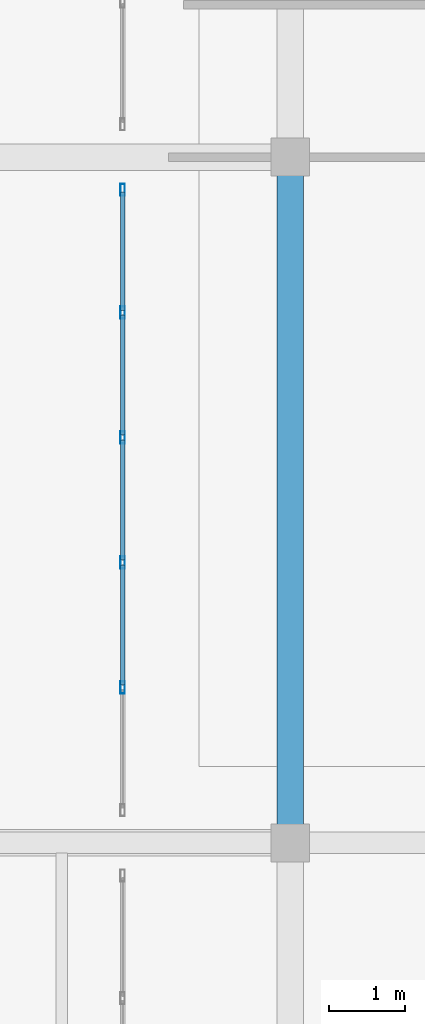
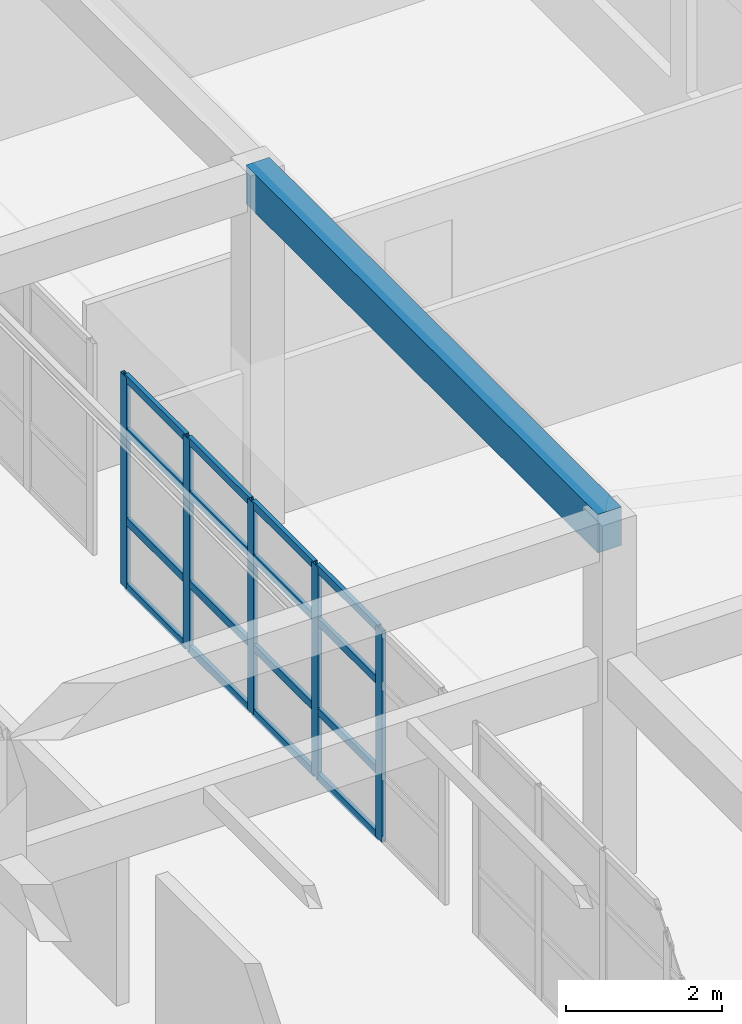
# One storey, part 21 of 156: 21 members, 1 beam, 1 element without a shape of its own.
"""IFC4 building model written with IfcOpenShell, lengths in metres."""

from ifc_helpers import new_model, si_unit, direction, frame, origin, origin_2d, place, context, subcontext, project, spatial, rectangle, hollow_rectangle, extrude, material, layer, layer_set, material_profile, profile_set, type_object, element, aggregate, save


model = new_model("IFC4")

# Units and contexts
model_context = context("Model", 3, precision=1e-05, world=origin(), true_north=direction((0.0, 1.0)))
body_context = subcontext(model_context, "Body", "Model", "MODEL_VIEW")
ifc_project = project(units=[si_unit("LENGTHUNIT", "METRE"), si_unit("AREAUNIT", "SQUARE_METRE"), si_unit("VOLUMEUNIT", "CUBIC_METRE"), si_unit("PLANEANGLEUNIT", "RADIAN"), si_unit("MASSUNIT", "GRAM", prefix="KILO")], contexts=[model_context])

# Site, building, storey
site_placement = place(None, origin())
site = spatial("IfcSite", under=ifc_project, at=site_placement, CompositionType="ELEMENT")
building_placement = place(site_placement, origin())
building = spatial("IfcBuilding", under=site, at=building_placement, Name="Ornek Quay Market", CompositionType="ELEMENT")
storey_placement = place(building_placement, frame((0.0, 0.0, 4.5)))
storey = spatial("IfcBuildingStorey", under=building, at=storey_placement, Name="L01", CompositionType="ELEMENT", Elevation=4.5)

# Beam
ifc_material_1 = material(Name="Concrete C35/45", Category="concrete")
ifc_material_profile_1 = material_profile(ifc_material_1, rectangle(XDim=0.35009765625, YDim=0.60009765625, at=origin_2d()), Name="RC 350x600", Category="concrete")
ifc_profile_set_1 = profile_set([ifc_material_profile_1], Name="Concrete C35/45")
beam_type = type_object("IfcBeamType", Name="BM-RF-350x600", PredefinedType="BEAM", material=ifc_profile_set_1)
beam_placement = place(storey_placement, frame((18.0, 65.0, 5.2900390625), z_axis=(0.0, 1.0, 0.0), x_axis=(-1.0, 0.0, 0.0)))
element("IfcBeam", 1, at=beam_placement, inside=storey, type_object=beam_type, Name="Primary beam B-RF1-018", PredefinedType="BEAM", context=body_context, shape_type="SweptSolid", body=[
    extrude(rectangle(XDim=0.35009765625, YDim=0.60009765625, at=origin_2d()), origin(), (0.0, 0.0, 1.0), 9.0),
])

# Curtain wall, members
ifc_material_2 = material(Name="Anodised bronze aluminium and triple low-e glass", Category="aluminium")
ifc_layer = layer(ifc_material_2, 0.179931640625, Name="Anodised bronze aluminium and triple low-e glass", Category="aluminium")
ifc_layer_set = layer_set([ifc_layer], Name="Anodised bronze aluminium and triple low-e glass")
curtain_wall_type = type_object("IfcCurtainWallType", Name="CW-CONC-MOD1500", PredefinedType="USERDEFINED", material=ifc_layer_set)
curtain_wall_placement = place(storey_placement, origin())
curtain_wall = element("IfcCurtainWall", 2, at=curtain_wall_placement, inside=storey, type_object=curtain_wall_type, Name="Curtain wall CW-141", ObjectType="CURTAIN WALL", PredefinedType="USERDEFINED")
ifc_material_3 = material(Name="Anodised aluminium 6063-T6", Category="aluminium")
ifc_material_profile_2 = material_profile(ifc_material_3, hollow_rectangle(XDim=0.06005859375, YDim=0.159912109375, WallThickness=0.00390625, at=origin_2d()), Name="CW-MUL-60x160", Category="aluminium")
ifc_profile_set_2 = profile_set([ifc_material_profile_2], Name="Anodised aluminium 6063-T6")
member_type_1 = type_object("IfcMemberType", Name="CW-MUL-60x160", PredefinedType="MULLION", material=ifc_profile_set_2)
member_1_placement = place(storey_placement, frame((15.800048828125, 67.0400390625, 0.0), z_axis=(0.0, 0.0, 1.0), x_axis=(-1.0, 0.0, 0.0)))
member_1 = element("IfcMember", 3, at=member_1_placement, type_object=member_type_1, Name="CW-141 mullion 2", PredefinedType="MULLION", context=body_context, shape_type="SweptSolid", body=[
    extrude(hollow_rectangle(XDim=0.06005859375, YDim=0.159912109375, WallThickness=0.00390625, at=origin_2d()), origin(), (0.0, 0.0, 1.0), 3.300048828125),
])
member_2_placement = place(storey_placement, frame((15.800048828125, 68.679931640625, 0.0), z_axis=(0.0, 0.0, 1.0), x_axis=(-1.0, 0.0, 0.0)))
member_2 = element("IfcMember", 4, at=member_2_placement, type_object=member_type_1, Name="CW-141 mullion 3", PredefinedType="MULLION", context=body_context, shape_type="SweptSolid", body=[
    extrude(hollow_rectangle(XDim=0.06005859375, YDim=0.159912109375, WallThickness=0.00390625, at=origin_2d()), origin(), (0.0, 0.0, 1.0), 3.300048828125),
])
member_3_placement = place(storey_placement, frame((15.800048828125, 70.320068359375, 0.0), z_axis=(0.0, 0.0, 1.0), x_axis=(-1.0, 0.0, 0.0)))
member_3 = element("IfcMember", 5, at=member_3_placement, type_object=member_type_1, Name="CW-141 mullion 4", PredefinedType="MULLION", context=body_context, shape_type="SweptSolid", body=[
    extrude(hollow_rectangle(XDim=0.06005859375, YDim=0.159912109375, WallThickness=0.00390625, at=origin_2d()), origin(), (0.0, 0.0, 1.0), 3.300048828125),
])
member_4_placement = place(storey_placement, frame((15.800048828125, 71.9599609375, 0.0), z_axis=(0.0, 0.0, 1.0), x_axis=(-1.0, 0.0, 0.0)))
member_4 = element("IfcMember", 6, at=member_4_placement, type_object=member_type_1, Name="CW-141 mullion 5", PredefinedType="MULLION", context=body_context, shape_type="SweptSolid", body=[
    extrude(hollow_rectangle(XDim=0.06005859375, YDim=0.159912109375, WallThickness=0.00390625, at=origin_2d()), origin(), (0.0, 0.0, 1.0), 3.300048828125),
])
member_5_placement = place(storey_placement, frame((15.800048828125, 73.570068359375, 0.0), z_axis=(0.0, 0.0, 1.0), x_axis=(-1.0, 0.0, 0.0)))
member_5 = element("IfcMember", 7, at=member_5_placement, type_object=member_type_1, Name="CW-141 mullion 6", PredefinedType="MULLION", context=body_context, shape_type="SweptSolid", body=[
    extrude(hollow_rectangle(XDim=0.06005859375, YDim=0.159912109375, WallThickness=0.00390625, at=origin_2d()), origin(), (0.0, 0.0, 1.0), 3.300048828125),
])
ifc_material_profile_3 = material_profile(ifc_material_3, hollow_rectangle(XDim=0.06005859375, YDim=0.1201171875, WallThickness=0.00390625, at=origin_2d()), Name="CW-TRN-60x120", Category="aluminium")
ifc_profile_set_3 = profile_set([ifc_material_profile_3], Name="Anodised aluminium 6063-T6")
member_type_2 = type_object("IfcMemberType", Name="CW-TRN-60x120", PredefinedType="USERDEFINED", material=ifc_profile_set_3)
member_6_placement = place(storey_placement, frame((15.800048828125, 67.070068359375, 0.030029296875), z_axis=(0.0, 1.0, 0.0), x_axis=(-1.0, 0.0, 0.0)))
member_6 = element("IfcMember", 8, at=member_6_placement, type_object=member_type_2, Name="CW-141 transom 2.1", ObjectType="TRANSOM", PredefinedType="USERDEFINED", context=body_context, shape_type="SweptSolid", body=[
    extrude(hollow_rectangle(XDim=0.06005859375, YDim=0.1201171875, WallThickness=0.00390625, at=origin_2d()), origin(), (0.0, 0.0, 1.0), 1.579833984375),
])
member_7_placement = place(storey_placement, frame((15.800048828125, 67.070068359375, 1.050048828125), z_axis=(0.0, 1.0, 0.0), x_axis=(-1.0, 0.0, 0.0)))
member_7 = element("IfcMember", 9, at=member_7_placement, type_object=member_type_2, Name="CW-141 transom 2.2", ObjectType="TRANSOM", PredefinedType="USERDEFINED", context=body_context, shape_type="SweptSolid", body=[
    extrude(hollow_rectangle(XDim=0.06005859375, YDim=0.1201171875, WallThickness=0.00390625, at=origin_2d()), origin(), (0.0, 0.0, 1.0), 1.579833984375),
])
member_8_placement = place(storey_placement, frame((15.800048828125, 67.070068359375, 2.449951171875), z_axis=(0.0, 1.0, 0.0), x_axis=(-1.0, 0.0, 0.0)))
member_8 = element("IfcMember", 10, at=member_8_placement, type_object=member_type_2, Name="CW-141 transom 2.3", ObjectType="TRANSOM", PredefinedType="USERDEFINED", context=body_context, shape_type="SweptSolid", body=[
    extrude(hollow_rectangle(XDim=0.06005859375, YDim=0.1201171875, WallThickness=0.00390625, at=origin_2d()), origin(), (0.0, 0.0, 1.0), 1.579833984375),
])
member_9_placement = place(storey_placement, frame((15.800048828125, 67.070068359375, 3.27001953125), z_axis=(0.0, 1.0, 0.0), x_axis=(-1.0, 0.0, 0.0)))
member_9 = element("IfcMember", 11, at=member_9_placement, type_object=member_type_2, Name="CW-141 transom 2.4", ObjectType="TRANSOM", PredefinedType="USERDEFINED", context=body_context, shape_type="SweptSolid", body=[
    extrude(hollow_rectangle(XDim=0.06005859375, YDim=0.1201171875, WallThickness=0.00390625, at=origin_2d()), origin(), (0.0, 0.0, 1.0), 1.579833984375),
])
member_10_placement = place(storey_placement, frame((15.800048828125, 68.7099609375, 0.030029296875), z_axis=(0.0, 1.0, 0.0), x_axis=(-1.0, 0.0, 0.0)))
member_10 = element("IfcMember", 12, at=member_10_placement, type_object=member_type_2, Name="CW-141 transom 3.1", ObjectType="TRANSOM", PredefinedType="USERDEFINED", context=body_context, shape_type="SweptSolid", body=[
    extrude(hollow_rectangle(XDim=0.06005859375, YDim=0.1201171875, WallThickness=0.00390625, at=origin_2d()), origin(), (0.0, 0.0, 1.0), 1.580078125),
])
member_11_placement = place(storey_placement, frame((15.800048828125, 68.7099609375, 1.050048828125), z_axis=(0.0, 1.0, 0.0), x_axis=(-1.0, 0.0, 0.0)))
member_11 = element("IfcMember", 13, at=member_11_placement, type_object=member_type_2, Name="CW-141 transom 3.2", ObjectType="TRANSOM", PredefinedType="USERDEFINED", context=body_context, shape_type="SweptSolid", body=[
    extrude(hollow_rectangle(XDim=0.06005859375, YDim=0.1201171875, WallThickness=0.00390625, at=origin_2d()), origin(), (0.0, 0.0, 1.0), 1.580078125),
])
member_12_placement = place(storey_placement, frame((15.800048828125, 68.7099609375, 2.449951171875), z_axis=(0.0, 1.0, 0.0), x_axis=(-1.0, 0.0, 0.0)))
member_12 = element("IfcMember", 14, at=member_12_placement, type_object=member_type_2, Name="CW-141 transom 3.3", ObjectType="TRANSOM", PredefinedType="USERDEFINED", context=body_context, shape_type="SweptSolid", body=[
    extrude(hollow_rectangle(XDim=0.06005859375, YDim=0.1201171875, WallThickness=0.00390625, at=origin_2d()), origin(), (0.0, 0.0, 1.0), 1.580078125),
])
member_13_placement = place(storey_placement, frame((15.800048828125, 68.7099609375, 3.27001953125), z_axis=(0.0, 1.0, 0.0), x_axis=(-1.0, 0.0, 0.0)))
member_13 = element("IfcMember", 15, at=member_13_placement, type_object=member_type_2, Name="CW-141 transom 3.4", ObjectType="TRANSOM", PredefinedType="USERDEFINED", context=body_context, shape_type="SweptSolid", body=[
    extrude(hollow_rectangle(XDim=0.06005859375, YDim=0.1201171875, WallThickness=0.00390625, at=origin_2d()), origin(), (0.0, 0.0, 1.0), 1.580078125),
])
member_14_placement = place(storey_placement, frame((15.800048828125, 70.35009765625, 0.030029296875), z_axis=(0.0, 1.0, 0.0), x_axis=(-1.0, 0.0, 0.0)))
member_14 = element("IfcMember", 16, at=member_14_placement, type_object=member_type_2, Name="CW-141 transom 4.1", ObjectType="TRANSOM", PredefinedType="USERDEFINED", context=body_context, shape_type="SweptSolid", body=[
    extrude(hollow_rectangle(XDim=0.06005859375, YDim=0.1201171875, WallThickness=0.00390625, at=origin_2d()), origin(), (0.0, 0.0, 1.0), 1.579833984375),
])
member_15_placement = place(storey_placement, frame((15.800048828125, 70.35009765625, 1.050048828125), z_axis=(0.0, 1.0, 0.0), x_axis=(-1.0, 0.0, 0.0)))
member_15 = element("IfcMember", 17, at=member_15_placement, type_object=member_type_2, Name="CW-141 transom 4.2", ObjectType="TRANSOM", PredefinedType="USERDEFINED", context=body_context, shape_type="SweptSolid", body=[
    extrude(hollow_rectangle(XDim=0.06005859375, YDim=0.1201171875, WallThickness=0.00390625, at=origin_2d()), origin(), (0.0, 0.0, 1.0), 1.579833984375),
])
member_16_placement = place(storey_placement, frame((15.800048828125, 70.35009765625, 2.449951171875), z_axis=(0.0, 1.0, 0.0), x_axis=(-1.0, 0.0, 0.0)))
member_16 = element("IfcMember", 18, at=member_16_placement, type_object=member_type_2, Name="CW-141 transom 4.3", ObjectType="TRANSOM", PredefinedType="USERDEFINED", context=body_context, shape_type="SweptSolid", body=[
    extrude(hollow_rectangle(XDim=0.06005859375, YDim=0.1201171875, WallThickness=0.00390625, at=origin_2d()), origin(), (0.0, 0.0, 1.0), 1.579833984375),
])
member_17_placement = place(storey_placement, frame((15.800048828125, 70.35009765625, 3.27001953125), z_axis=(0.0, 1.0, 0.0), x_axis=(-1.0, 0.0, 0.0)))
member_17 = element("IfcMember", 19, at=member_17_placement, type_object=member_type_2, Name="CW-141 transom 4.4", ObjectType="TRANSOM", PredefinedType="USERDEFINED", context=body_context, shape_type="SweptSolid", body=[
    extrude(hollow_rectangle(XDim=0.06005859375, YDim=0.1201171875, WallThickness=0.00390625, at=origin_2d()), origin(), (0.0, 0.0, 1.0), 1.579833984375),
])
member_18_placement = place(storey_placement, frame((15.800048828125, 71.989990234375, 0.030029296875), z_axis=(0.0, 1.0, 0.0), x_axis=(-1.0, 0.0, 0.0)))
member_18 = element("IfcMember", 20, at=member_18_placement, type_object=member_type_2, Name="CW-141 transom 5.1", ObjectType="TRANSOM", PredefinedType="USERDEFINED", context=body_context, shape_type="SweptSolid", body=[
    extrude(hollow_rectangle(XDim=0.06005859375, YDim=0.1201171875, WallThickness=0.00390625, at=origin_2d()), origin(), (0.0, 0.0, 1.0), 1.550048828125),
])
member_19_placement = place(storey_placement, frame((15.800048828125, 71.989990234375, 1.050048828125), z_axis=(0.0, 1.0, 0.0), x_axis=(-1.0, 0.0, 0.0)))
member_19 = element("IfcMember", 21, at=member_19_placement, type_object=member_type_2, Name="CW-141 transom 5.2", ObjectType="TRANSOM", PredefinedType="USERDEFINED", context=body_context, shape_type="SweptSolid", body=[
    extrude(hollow_rectangle(XDim=0.06005859375, YDim=0.1201171875, WallThickness=0.00390625, at=origin_2d()), origin(), (0.0, 0.0, 1.0), 1.550048828125),
])
member_20_placement = place(storey_placement, frame((15.800048828125, 71.989990234375, 2.449951171875), z_axis=(0.0, 1.0, 0.0), x_axis=(-1.0, 0.0, 0.0)))
member_20 = element("IfcMember", 22, at=member_20_placement, type_object=member_type_2, Name="CW-141 transom 5.3", ObjectType="TRANSOM", PredefinedType="USERDEFINED", context=body_context, shape_type="SweptSolid", body=[
    extrude(hollow_rectangle(XDim=0.06005859375, YDim=0.1201171875, WallThickness=0.00390625, at=origin_2d()), origin(), (0.0, 0.0, 1.0), 1.550048828125),
])
member_21_placement = place(storey_placement, frame((15.800048828125, 71.989990234375, 3.27001953125), z_axis=(0.0, 1.0, 0.0), x_axis=(-1.0, 0.0, 0.0)))
member_21 = element("IfcMember", 23, at=member_21_placement, type_object=member_type_2, Name="CW-141 transom 5.4", ObjectType="TRANSOM", PredefinedType="USERDEFINED", context=body_context, shape_type="SweptSolid", body=[
    extrude(hollow_rectangle(XDim=0.06005859375, YDim=0.1201171875, WallThickness=0.00390625, at=origin_2d()), origin(), (0.0, 0.0, 1.0), 1.550048828125),
])
aggregate(curtain_wall, [member_1, member_2, member_3, member_4, member_5, member_6, member_7, member_8, member_9, member_10, member_11, member_12, member_13, member_14, member_15, member_16, member_17, member_18, member_19, member_20, member_21])

save(model, "model.ifc")
